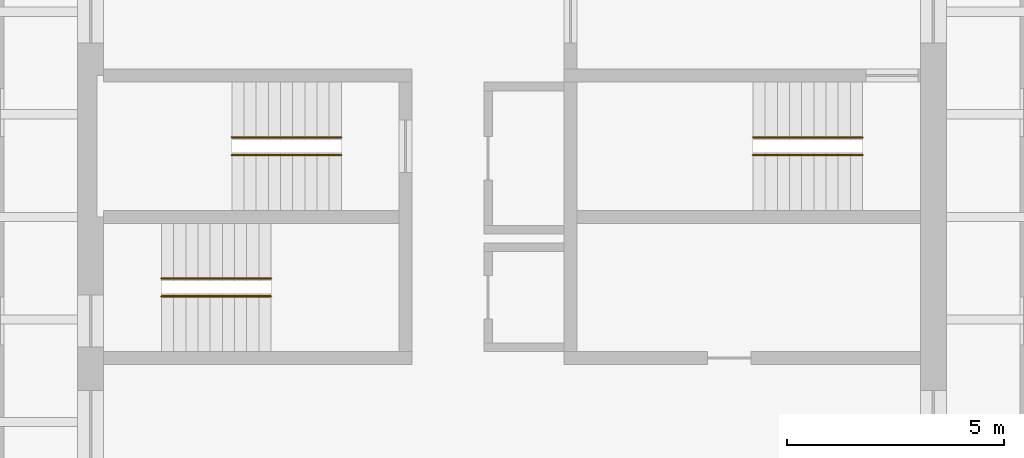
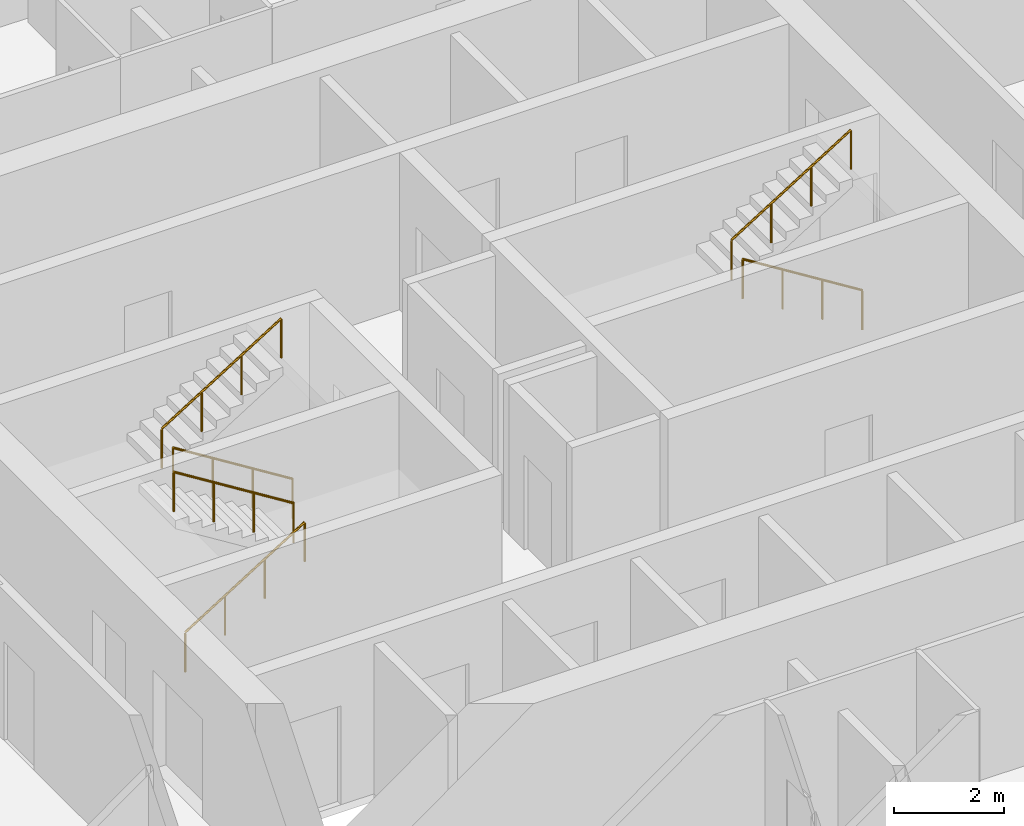
# One storey, part 23 of 23: 6 railings.
"""IFC4 building model written with IfcOpenShell, lengths in metres."""

from ifc_helpers import new_model, si_unit, direction, frame, origin, origin_2d, place, context, subcontext, project, spatial, circle, extrude, material, type_object, element, save


model = new_model("IFC4")

# Units and contexts
model_context = context("Model", 3, precision=1e-05, world=origin(), true_north=direction((0.0, 1.0)))
body_context = subcontext(model_context, "Body", "Model", "MODEL_VIEW")
ifc_project = project(units=[si_unit("LENGTHUNIT", "METRE"), si_unit("AREAUNIT", "SQUARE_METRE"), si_unit("VOLUMEUNIT", "CUBIC_METRE"), si_unit("PLANEANGLEUNIT", "RADIAN"), si_unit("MASSUNIT", "GRAM", prefix="KILO")], contexts=[model_context])

# Site, building, storey
site_placement = place(None, origin())
site = spatial("IfcSite", under=ifc_project, at=site_placement, CompositionType="ELEMENT")
building_placement = place(site_placement, origin())
building = spatial("IfcBuilding", under=site, at=building_placement, Name="Turquesa Mirador Hotel Tower", CompositionType="ELEMENT")
storey_placement = place(building_placement, frame((0.0, 0.0, 226.699951171875)))
storey = spatial("IfcBuildingStorey", under=building, at=storey_placement, Name="L61", CompositionType="ELEMENT", Elevation=226.699951171875)

# Railings
ifc_material = material(Name="Painted steel handrail", Category="steel")
railing_type = type_object("IfcRailingType", Name="HANDRAIL 900 STEEL", PredefinedType="HANDRAIL", material=ifc_material)
railing_1_placement = place(storey_placement, frame((51.070068359375, 46.419921875, 0.175048828125)))
element("IfcRailing", 1, at=railing_1_placement, inside=storey, type_object=railing_type, Name="Handrail ST1", PredefinedType="HANDRAIL", context=body_context, shape_type="SweptSolid", body=[
    extrude(circle(Radius=0.02392578125, at=origin_2d()), frame((0.0, 0.0, 0.8759765625), z_axis=(-0.848007534815, 0.0, 0.529984170421), x_axis=(0.0, -1.0, 0.0)), (0.0, 0.0, 1.0), 2.9716796875),
    extrude(circle(Radius=0.02099609375, at=origin_2d()), origin(), (0.0, 0.0, 1.0), 0.851806640625),
    extrude(circle(Radius=0.02099609375, at=origin_2d()), frame((-0.840087890625, 0.0, 0.52490234375)), (0.0, 0.0, 1.0), 0.851806640625),
    extrude(circle(Radius=0.02099609375, at=origin_2d()), frame((-1.679931640625, 0.0, 1.050048828125)), (0.0, 0.0, 1.0), 0.851806640625),
    extrude(circle(Radius=0.02099609375, at=origin_2d()), frame((-2.52001953125, 0.0, 1.574951171875)), (0.0, 0.0, 1.0), 0.851806640625),
])
for number, where, name in (
    (2, (48.550048828125, 46.830078125, 1.925048828125), "Handrail ST1"),
    (3, (46.929931640625, 43.169921875, 0.175048828125), "Handrail ST2"),
):
    element("IfcRailing", number, at=place(storey_placement, frame(where)), inside=storey, type_object=railing_type, Name=name, PredefinedType="HANDRAIL", context=body_context, shape_type="SweptSolid", body=[
        extrude(circle(Radius=0.02392578125, at=origin_2d()), frame((0.0, 0.0, 0.8759765625), z_axis=(0.848007534815, 0.0, 0.529984170421), x_axis=(0.0, 1.0, 0.0)), (0.0, 0.0, 1.0), 2.9716796875),
        extrude(circle(Radius=0.02099609375, at=origin_2d()), origin(), (0.0, 0.0, 1.0), 0.851806640625),
        extrude(circle(Radius=0.02099609375, at=origin_2d()), frame((0.840087890625, 0.0, 0.52490234375)), (0.0, 0.0, 1.0), 0.851806640625),
        extrude(circle(Radius=0.02099609375, at=origin_2d()), frame((1.679931640625, 0.0, 1.050048828125)), (0.0, 0.0, 1.0), 0.851806640625),
        extrude(circle(Radius=0.02099609375, at=origin_2d()), frame((2.52001953125, 0.0, 1.574951171875)), (0.0, 0.0, 1.0), 0.851806640625),
    ])
for number, where, name in (
    (4, (49.449951171875, 43.580078125, 1.925048828125), "Handrail ST2"),
    (5, (63.070068359375, 46.419921875, 0.175048828125), "Handrail ST3"),
):
    element("IfcRailing", number, at=place(storey_placement, frame(where)), inside=storey, type_object=railing_type, Name=name, PredefinedType="HANDRAIL", context=body_context, shape_type="SweptSolid", body=[
        extrude(circle(Radius=0.02392578125, at=origin_2d()), frame((0.0, 0.0, 0.8759765625), z_axis=(-0.848007534815, 0.0, 0.529984170421), x_axis=(0.0, -1.0, 0.0)), (0.0, 0.0, 1.0), 2.9716796875),
        extrude(circle(Radius=0.02099609375, at=origin_2d()), origin(), (0.0, 0.0, 1.0), 0.851806640625),
        extrude(circle(Radius=0.02099609375, at=origin_2d()), frame((-0.840087890625, 0.0, 0.52490234375)), (0.0, 0.0, 1.0), 0.851806640625),
        extrude(circle(Radius=0.02099609375, at=origin_2d()), frame((-1.679931640625, 0.0, 1.050048828125)), (0.0, 0.0, 1.0), 0.851806640625),
        extrude(circle(Radius=0.02099609375, at=origin_2d()), frame((-2.52001953125, 0.0, 1.574951171875)), (0.0, 0.0, 1.0), 0.851806640625),
    ])
railing_2_placement = place(storey_placement, frame((60.550048828125, 46.830078125, 1.925048828125)))
element("IfcRailing", 6, at=railing_2_placement, inside=storey, type_object=railing_type, Name="Handrail ST3", PredefinedType="HANDRAIL", context=body_context, shape_type="SweptSolid", body=[
    extrude(circle(Radius=0.02392578125, at=origin_2d()), frame((0.0, 0.0, 0.8759765625), z_axis=(0.848007534815, 0.0, 0.529984170421), x_axis=(0.0, 1.0, 0.0)), (0.0, 0.0, 1.0), 2.9716796875),
    extrude(circle(Radius=0.02099609375, at=origin_2d()), origin(), (0.0, 0.0, 1.0), 0.851806640625),
    extrude(circle(Radius=0.02099609375, at=origin_2d()), frame((0.840087890625, 0.0, 0.52490234375)), (0.0, 0.0, 1.0), 0.851806640625),
    extrude(circle(Radius=0.02099609375, at=origin_2d()), frame((1.679931640625, 0.0, 1.050048828125)), (0.0, 0.0, 1.0), 0.851806640625),
    extrude(circle(Radius=0.02099609375, at=origin_2d()), frame((2.52001953125, 0.0, 1.574951171875)), (0.0, 0.0, 1.0), 0.851806640625),
])

save(model, "model.ifc")
